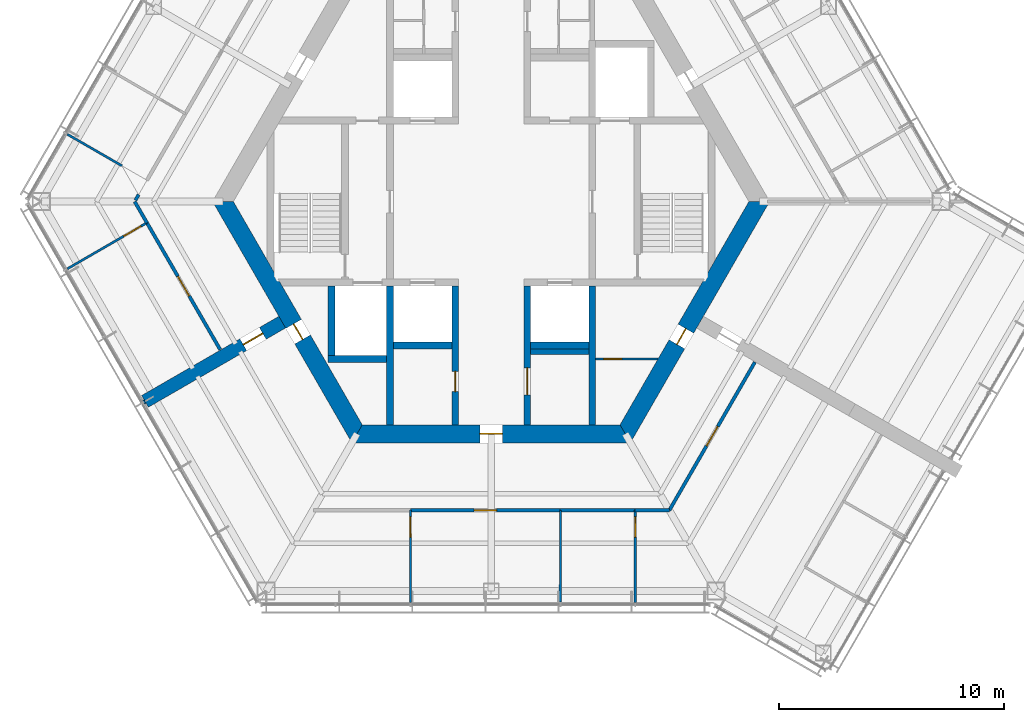
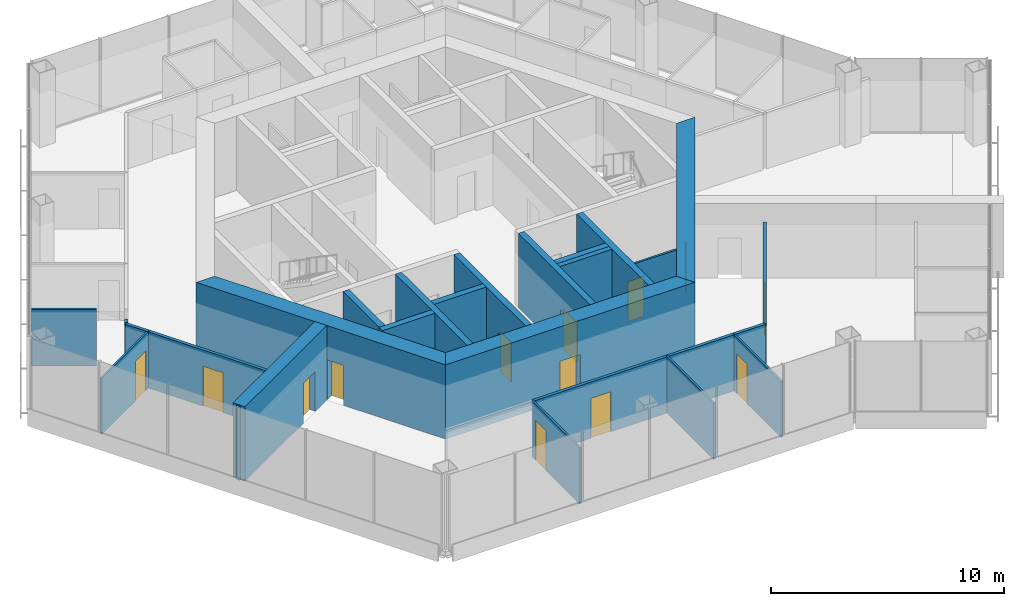
# One storey, part 7 of 13: 27 walls, 13 doors, 13 openings.
"""IFC4 building model written with IfcOpenShell, lengths in metres."""

from ifc_helpers import new_model, si_unit, direction, frame, frame_2d, origin, place, context, subcontext, project, spatial, polyline, rectangle, outline, extrude, material, layer, layer_set, type_object, element, fill, save


model = new_model("IFC4")

# Units and contexts
model_context = context("Model", 3, precision=1e-05, world=origin(), true_north=direction((0.0, 1.0)))
body_context = subcontext(model_context, "Body", "Model", "MODEL_VIEW")
ifc_project = project(units=[si_unit("LENGTHUNIT", "METRE"), si_unit("AREAUNIT", "SQUARE_METRE"), si_unit("VOLUMEUNIT", "CUBIC_METRE"), si_unit("PLANEANGLEUNIT", "RADIAN"), si_unit("MASSUNIT", "GRAM", prefix="KILO")], contexts=[model_context])

# Site, building, storey
site_placement = place(None, origin())
site = spatial("IfcSite", under=ifc_project, at=site_placement, CompositionType="ELEMENT")
building_placement = place(site_placement, origin())
building = spatial("IfcBuilding", under=site, at=building_placement, Name="Kasaneha Research Tower", CompositionType="ELEMENT")
storey_placement = place(building_placement, frame((0.0, 0.0, 271.300048828125)))
storey = spatial("IfcBuildingStorey", under=building, at=storey_placement, Name="L68", CompositionType="ELEMENT", Elevation=271.300048828125)

# Wall, opening, door
ifc_material_1 = material(Name="Concrete Fc60", Category="concrete")
ifc_layer_1 = layer(ifc_material_1, 0.300048828125)
ifc_layer_set_1 = layer_set([ifc_layer_1], Name="Core internal wall 300 Fc60")
wall_type_1 = type_object("IfcWallType", Name="Core internal wall 300 Fc60", PredefinedType="SHEAR", material=ifc_layer_set_1)
wall_1_placement = place(storey_placement, frame((-1.60009765625, -3.75, 0.0), z_axis=(0.0, 0.0, 1.0), x_axis=(0.0, -1.0, 0.0)))
wall_1 = element("IfcWall", 1, at=wall_1_placement, inside=storey, type_object=wall_type_1, Name="Core wall CSW L68", PredefinedType="SHEAR", context=body_context, shape_type="SweptSolid", body=[
    extrude(rectangle(XDim=6.175048828125, YDim=0.300048828125, at=frame_2d((3.08740234375, 0.0))), origin(), (0.0, 0.0, 1.0), 3.89990234375),
])
opening_1_placement = place(wall_1_placement, frame((3.800048828125, 0.0, 0.0)))
opening_1 = element("IfcOpeningElement", 2, at=opening_1_placement, cuts=wall_1, Name="Opening L68-D16", PredefinedType="OPENING", context=body_context, shape_type="SweptSolid", body=[
    extrude(rectangle(XDim=0.89990234375, YDim=2.10009765625, at=frame_2d((0.449951171875, 1.050048828125))), frame((0.0, 0.16015625, 0.0), z_axis=(0.0, -1.0, 0.0), x_axis=(1.0, 0.0, 0.0)), (0.0, 0.0, 1.0), 0.320068359375),
])
ifc_material_2 = material(Name="Steel", Category="steel")
door_type_1 = type_object("IfcDoorType", Name="Riser access door FD60 900x2100", OperationType="NOTDEFINED", PredefinedType="DOOR", material=ifc_material_2)
door_1_placement = place(opening_1_placement, origin())
door_1 = element("IfcDoor", 3, at=door_1_placement, inside=storey, type_object=door_type_1, Name="Electrical riser door L68-D16", OperationType="SINGLE_SWING_LEFT", OverallHeight=2.10009765625, OverallWidth=0.89990234375, PredefinedType="DOOR", context=body_context, shape_type="SweptSolid", body=[
    extrude(rectangle(XDim=0.89990234375, YDim=2.10009765625, at=frame_2d((0.449951171875, 1.050048828125))), frame((0.0, 0.02490234375, 0.0), z_axis=(0.0, -1.0, 0.0), x_axis=(1.0, 0.0, 0.0)), (0.0, 0.0, 1.0), 0.050048828125),
])
fill(opening_1, door_1)

wall_2_placement = place(storey_placement, frame((1.60009765625, -3.75, 0.0), z_axis=(0.0, 0.0, 1.0), x_axis=(0.0, -1.0, 0.0)))
wall_2 = element("IfcWall", 4, at=wall_2_placement, inside=storey, type_object=wall_type_1, Name="Core wall CSE L68", PredefinedType="SHEAR", context=body_context, shape_type="SweptSolid", body=[
    extrude(rectangle(XDim=6.175048828125, YDim=0.300048828125, at=frame_2d((3.08740234375, 0.0))), origin(), (0.0, 0.0, 1.0), 3.89990234375),
])
opening_2_placement = place(wall_2_placement, frame((3.64990234375, 0.0, 0.0)))
opening_2 = element("IfcOpeningElement", 5, at=opening_2_placement, cuts=wall_2, Name="Opening L68-D15", PredefinedType="OPENING", context=body_context, shape_type="SweptSolid", body=[
    extrude(rectangle(XDim=1.199951171875, YDim=2.10009765625, at=frame_2d((0.60009765625, 1.050048828125))), frame((0.0, 0.16015625, 0.0), z_axis=(0.0, -1.0, 0.0), x_axis=(1.0, 0.0, 0.0)), (0.0, 0.0, 1.0), 0.320068359375),
])
ifc_material_3 = material(Name="Steel", Category="steel")
door_type_2 = type_object("IfcDoorType", Name="Accessible toilet sliding door FD20 1200x2100", OperationType="SLIDING_TO_LEFT", PredefinedType="DOOR", material=ifc_material_3)
door_2_placement = place(opening_2_placement, origin())
door_2 = element("IfcDoor", 6, at=door_2_placement, inside=storey, type_object=door_type_2, Name="Accessible WC door L68-D15", OperationType="SLIDING_TO_LEFT", OverallHeight=2.10009765625, OverallWidth=1.199951171875, PredefinedType="DOOR", context=body_context, shape_type="SweptSolid", body=[
    extrude(rectangle(XDim=1.199951171875, YDim=2.10009765625, at=frame_2d((0.60009765625, 1.050048828125))), frame((0.0, 0.02490234375, 0.0), z_axis=(0.0, -1.0, 0.0), x_axis=(1.0, 0.0, 0.0)), (0.0, 0.0, 1.0), 0.050048828125),
])
fill(opening_2, door_2)

# Walls
for number, where, z_axis, x_axis, name in (
    (7, (-4.5, -3.75, 0.0), (0.0, 0.0, 1.0), (0.0, -1.0, 0.0), "Core wall SSW L68"),
    (8, (4.5, -3.75, 0.0), (0.0, 0.0, 1.0), (0.0, -1.0, 0.0), "Core wall SSE L68"),
):
    element("IfcWall", number, at=place(storey_placement, frame(where, z_axis=z_axis, x_axis=x_axis)), inside=storey, type_object=wall_type_1, Name=name, PredefinedType="SHEAR", context=body_context, shape_type="SweptSolid", body=[
        extrude(rectangle(XDim=6.175048828125, YDim=0.300048828125, at=frame_2d((3.08740234375, 0.0))), origin(), (0.0, 0.0, 1.0), 3.89990234375),
    ])
for number, where, z_axis, x_axis, name in (
    (9, (-4.35009765625, -6.39990234375, 0.0), (0.0, 0.0, 1.0), (1.0, 0.0, 0.0), "Core wall S1S L68"),
    (10, (1.75, -6.39990234375, 0.0), (0.0, 0.0, 1.0), (1.0, 0.0, 0.0), "Core wall S3S L68"),
    (11, (-7.25, -7.0, 0.0), (0.0, 0.0, 1.0), (1.0, 0.0, 0.0), "Core wall F2S L68"),
):
    element("IfcWall", number, at=place(storey_placement, frame(where, z_axis=z_axis, x_axis=x_axis)), inside=storey, type_object=wall_type_1, Name=name, PredefinedType="SHEAR", context=body_context, shape_type="SweptSolid", body=[
        extrude(rectangle(XDim=2.60009765625, YDim=0.300048828125, at=frame_2d((1.300048828125, 0.0))), origin(), (0.0, 0.0, 1.0), 3.89990234375),
    ])
wall_3_placement = place(storey_placement, frame((-7.10009765625, -3.75, 0.0), z_axis=(0.0, 0.0, 1.0), x_axis=(0.0, -1.0, 0.0)))
element("IfcWall", 12, at=wall_3_placement, inside=storey, type_object=wall_type_1, Name="Core wall F2W L68", PredefinedType="SHEAR", context=body_context, shape_type="SweptSolid", body=[
    extrude(rectangle(XDim=3.10009765625, YDim=0.300048828125, at=frame_2d((1.550048828125, 0.0))), origin(), (0.0, 0.0, 1.0), 3.89990234375),
])

# Wall, opening, door
ifc_material_4 = material(Name="Concrete Fc60", Category="concrete")
ifc_layer_2 = layer(ifc_material_4, 0.800048828125)
ifc_layer_set_2 = layer_set([ifc_layer_2], Name="Core wall 800 Fc60")
wall_type_2 = type_object("IfcWallType", Name="Core wall 800 Fc60", PredefinedType="SHEAR", material=ifc_layer_set_2)
wall_4_placement = place(storey_placement, frame((-11.92236328125, 0.0, 0.0), z_axis=(0.0, 0.0, 1.0), x_axis=(0.500004296715, -0.866022923061, 0.0)))
wall_4 = element("IfcWall", 13, at=wall_4_placement, inside=storey, type_object=wall_type_2, Name="Core wall 210 L68", PredefinedType="SHEAR", context=body_context, shape_type="SweptSolid", body=[
    extrude(outline(polyline([(-0.23095703125, -0.39990234375), (6.28125, -0.39990234375), (7.081298828125, -0.39990234375), (12.1533203125, -0.39990234375), (11.69140625, 0.39990234375), (7.081298828125, 0.39990234375), (6.28125, 0.39990234375), (0.23095703125, 0.39990234375), (-0.23095703125, -0.39990234375)])), origin(), (0.0, 0.0, 1.0), 3.89990234375),
])
opening_3_placement = place(wall_4_placement, frame((6.28125, 0.0, 0.0)))
opening_3 = element("IfcOpeningElement", 14, at=opening_3_placement, cuts=wall_4, Name="Opening L68-D06", PredefinedType="OPENING", context=body_context, shape_type="SweptSolid", body=[
    extrude(rectangle(XDim=0.800048828125, YDim=2.10009765625, at=frame_2d((0.39990234375, 1.050048828125))), frame((0.0, 0.41015625, 0.0), z_axis=(0.0, -1.0, 0.0), x_axis=(1.0, 0.0, 0.0)), (0.0, 0.0, 1.0), 0.820068359375),
])
ifc_material_5 = material(Name="Steel", Category="steel")
door_type_3 = type_object("IfcDoorType", Name="Riser access door FD60 800x2100", OperationType="NOTDEFINED", PredefinedType="DOOR", material=ifc_material_5)
door_3_placement = place(opening_3_placement, origin())
door_3 = element("IfcDoor", 15, at=door_3_placement, inside=storey, type_object=door_type_3, Name="Duct riser door L68-D06", OperationType="SINGLE_SWING_RIGHT", OverallHeight=2.10009765625, OverallWidth=0.800048828125, PredefinedType="DOOR", context=body_context, shape_type="SweptSolid", body=[
    extrude(rectangle(XDim=0.800048828125, YDim=2.10009765625, at=frame_2d((0.39990234375, 1.050048828125))), frame((0.0, 0.02490234375, 0.0), z_axis=(0.0, -1.0, 0.0), x_axis=(1.0, 0.0, 0.0)), (0.0, 0.0, 1.0), 0.050048828125),
])
fill(opening_3, door_3)

wall_5_placement = place(storey_placement, frame((-5.961181640625, -10.324951171875, 0.0), z_axis=(0.0, 0.0, 1.0), x_axis=(1.0, 0.0, 0.0)))
wall_5 = element("IfcWall", 16, at=wall_5_placement, inside=storey, type_object=wall_type_2, Name="Core wall 270 L68", PredefinedType="SHEAR", context=body_context, shape_type="SweptSolid", body=[
    extrude(outline(polyline([(-0.23095703125, -0.39990234375), (5.461181640625, -0.39990234375), (6.461181640625, -0.39990234375), (12.1533203125, -0.39990234375), (11.69140625, 0.39990234375), (6.461181640625, 0.39990234375), (5.461181640625, 0.39990234375), (0.23095703125, 0.39990234375), (-0.23095703125, -0.39990234375)])), origin(), (0.0, 0.0, 1.0), 3.89990234375),
])
opening_4_placement = place(wall_5_placement, frame((5.461181640625, 0.0, 0.0)))
opening_4 = element("IfcOpeningElement", 17, at=opening_4_placement, cuts=wall_5, Name="Opening L68-D03", PredefinedType="OPENING", context=body_context, shape_type="SweptSolid", body=[
    extrude(rectangle(XDim=1.0, YDim=2.10009765625, at=frame_2d((0.5, 1.050048828125))), frame((0.0, 0.41015625, 0.0), z_axis=(0.0, -1.0, 0.0), x_axis=(1.0, 0.0, 0.0)), (0.0, 0.0, 1.0), 0.820068359375),
])
ifc_material_6 = material(Name="Steel", Category="steel")
door_type_4 = type_object("IfcDoorType", Name="Fire door FD20 1000x2100", OperationType="NOTDEFINED", PredefinedType="DOOR", material=ifc_material_6)
door_4_placement = place(opening_4_placement, origin())
door_4 = element("IfcDoor", 18, at=door_4_placement, inside=storey, type_object=door_type_4, Name="Core door south L68-D03", OperationType="SINGLE_SWING_LEFT", OverallHeight=2.10009765625, OverallWidth=1.0, PredefinedType="DOOR", context=body_context, shape_type="SweptSolid", body=[
    extrude(rectangle(XDim=1.0, YDim=2.10009765625, at=frame_2d((0.5, 1.050048828125))), frame((0.0, 0.02490234375, 0.0), z_axis=(0.0, -1.0, 0.0), x_axis=(1.0, 0.0, 0.0)), (0.0, 0.0, 1.0), 0.050048828125),
])
fill(opening_4, door_4)

wall_6_placement = place(storey_placement, frame((5.961181640625, -10.324951171875, 0.0), z_axis=(0.0, 0.0, 1.0), x_axis=(0.500004296715, 0.866022923061, 0.0)))
wall_6 = element("IfcWall", 19, at=wall_6_placement, inside=storey, type_object=wall_type_2, Name="Core wall 330 L68", PredefinedType="SHEAR", context=body_context, shape_type="SweptSolid", body=[
    extrude(outline(polyline([(-0.23095703125, -0.39990234375), (4.593994140625, -0.39990234375), (5.39404296875, -0.39990234375), (12.1533203125, -0.39990234375), (11.69140625, 0.39990234375), (5.39404296875, 0.39990234375), (4.593994140625, 0.39990234375), (0.23095703125, 0.39990234375), (-0.23095703125, -0.39990234375)])), origin(), (0.0, 0.0, 1.0), 3.89990234375),
])
opening_5_placement = place(wall_6_placement, frame((4.593994140625, 0.0, 0.0)))
opening_5 = element("IfcOpeningElement", 20, at=opening_5_placement, cuts=wall_6, Name="Opening L68-D05", PredefinedType="OPENING", context=body_context, shape_type="SweptSolid", body=[
    extrude(rectangle(XDim=0.800048828125, YDim=2.10009765625, at=frame_2d((0.39990234375, 1.050048828125))), frame((0.0, 0.41015625, 0.0), z_axis=(0.0, -1.0, 0.0), x_axis=(1.0, 0.0, 0.0)), (0.0, 0.0, 1.0), 0.820068359375),
])
door_5_placement = place(opening_5_placement, origin())
door_5 = element("IfcDoor", 21, at=door_5_placement, inside=storey, type_object=door_type_3, Name="Pipe riser door L68-D05", OperationType="SINGLE_SWING_LEFT", OverallHeight=2.10009765625, OverallWidth=0.800048828125, PredefinedType="DOOR", context=body_context, shape_type="SweptSolid", body=[
    extrude(rectangle(XDim=0.800048828125, YDim=2.10009765625, at=frame_2d((0.39990234375, 1.050048828125))), frame((0.0, 0.02490234375, 0.0), z_axis=(0.0, -1.0, 0.0), x_axis=(1.0, 0.0, 0.0)), (0.0, 0.0, 1.0), 0.050048828125),
])
fill(opening_5, door_5)

ifc_material_7 = material(Name="Gypsum board on steel studs, one layer each side", Category="steel")
ifc_layer_3 = layer(ifc_material_7, 0.10009765625)
ifc_layer_set_3 = layer_set([ifc_layer_3], Name="Office partition 100")
wall_type_3 = type_object("IfcWallType", Name="Office partition 100", PredefinedType="PARTITIONING", material=ifc_layer_set_3)
wall_7_placement = place(storey_placement, frame((4.64990234375, -7.0, 0.0), z_axis=(0.0, 0.0, 1.0), x_axis=(1.0, 0.0, 0.0)))
wall_7 = element("IfcWall", 22, at=wall_7_placement, inside=storey, type_object=wall_type_3, Name="Office partition RS-SE L68", PredefinedType="PARTITIONING", context=body_context, shape_type="SweptSolid", body=[
    extrude(outline(polyline([(0.0, -0.050048828125), (0.35009765625, -0.050048828125), (1.150146484375, -0.050048828125), (2.740234375, -0.050048828125), (2.76904296875, 0.0), (2.77490234375, 0.050048828125), (1.150146484375, 0.050048828125), (0.35009765625, 0.050048828125), (0.0, 0.050048828125), (0.0, -0.050048828125)])), origin(), (0.0, 0.0, 1.0), 2.949951171875),
])
opening_6_placement = place(wall_7_placement, frame((0.35009765625, 0.0, 0.0)))
opening_6 = element("IfcOpeningElement", 23, at=opening_6_placement, cuts=wall_7, Name="Opening L68-D25", PredefinedType="OPENING", context=body_context, shape_type="SweptSolid", body=[
    extrude(rectangle(XDim=0.800048828125, YDim=2.10009765625, at=frame_2d((0.39990234375, 1.050048828125))), frame((0.0, 0.06005859375, 0.0), z_axis=(0.0, -1.0, 0.0), x_axis=(1.0, 0.0, 0.0)), (0.0, 0.0, 1.0), 0.1201171875),
])
door_6_placement = place(opening_6_placement, origin())
door_6 = element("IfcDoor", 24, at=door_6_placement, inside=storey, type_object=door_type_3, Name="Drainage riser door L68-D25", OperationType="SINGLE_SWING_LEFT", OverallHeight=2.10009765625, OverallWidth=0.800048828125, PredefinedType="DOOR", context=body_context, shape_type="SweptSolid", body=[
    extrude(rectangle(XDim=0.800048828125, YDim=2.10009765625, at=frame_2d((0.39990234375, 1.050048828125))), frame((0.0, 0.02490234375, 0.0), z_axis=(0.0, -1.0, 0.0), x_axis=(1.0, 0.0, 0.0)), (0.0, 0.0, 1.0), 0.050048828125),
])
fill(opening_6, door_6)

# Wall
wall_8_placement = place(storey_placement, frame((-16.4130859375, 1.58837890625, 0.0), z_axis=(0.0, 0.0, 1.0), x_axis=(-0.866020185298, 0.500009038574, 0.0)))
element("IfcWall", 25, at=wall_8_placement, inside=storey, type_object=wall_type_3, Name="Office partition FBN07 L68", PredefinedType="PARTITIONING", context=body_context, shape_type="SweptSolid", body=[
    extrude(rectangle(XDim=2.80224609375, YDim=0.10009765625, at=frame_2d((1.401123046875, 0.0))), origin(), (0.0, 0.0, 1.0), 2.949951171875),
])

# Wall, opening, door
wall_9_placement = place(storey_placement, frame((-15.303955078125, -0.94287109375, 0.0), z_axis=(0.0, 0.0, 1.0), x_axis=(-0.865475377125, -0.500951466301, 0.0)))
wall_9 = element("IfcWall", 26, at=wall_9_placement, inside=storey, type_object=wall_type_3, Name="Office partition FBN10 L68", PredefinedType="PARTITIONING", context=body_context, shape_type="SweptSolid", body=[
    extrude(rectangle(XDim=4.08544921875, YDim=0.10009765625, at=frame_2d((2.042724609375, 0.0))), origin(), (0.0, 0.0, 1.0), 2.949951171875),
])
opening_7_placement = place(wall_9_placement, frame((0.300048828125, 0.0, 0.0)))
opening_7 = element("IfcOpeningElement", 27, at=opening_7_placement, cuts=wall_9, Name="Opening L68-D38", PredefinedType="OPENING", context=body_context, shape_type="SweptSolid", body=[
    extrude(rectangle(XDim=0.89990234375, YDim=2.10009765625, at=frame_2d((0.449951171875, 1.050048828125))), frame((0.0, 0.06005859375, 0.0), z_axis=(0.0, -1.0, 0.0), x_axis=(1.0, 0.0, 0.0)), (0.0, 0.0, 1.0), 0.1201171875),
])
ifc_material_8 = material(Name="Timber veneer", Category="wood")
door_type_5 = type_object("IfcDoorType", Name="Office door 900x2100", OperationType="SINGLE_SWING_LEFT", PredefinedType="DOOR", material=ifc_material_8)
door_7_placement = place(opening_7_placement, origin())
door_7 = element("IfcDoor", 28, at=door_7_placement, inside=storey, type_object=door_type_5, Name="Workroom door L68-D38", OperationType="SINGLE_SWING_LEFT", OverallHeight=2.10009765625, OverallWidth=0.89990234375, PredefinedType="DOOR", context=body_context, shape_type="SweptSolid", body=[
    extrude(rectangle(XDim=0.89990234375, YDim=2.10009765625, at=frame_2d((0.449951171875, 1.050048828125))), frame((0.0, 0.02490234375, 0.0), z_axis=(0.0, -1.0, 0.0), x_axis=(1.0, 0.0, 0.0)), (0.0, 0.0, 1.0), 0.050048828125),
])
fill(opening_7, door_7)

wall_10_placement = place(storey_placement, frame((-3.589111328125, -13.72509765625, 0.0), z_axis=(0.0, 0.0, 1.0), x_axis=(0.001128533375, -0.999999363206, 0.0)))
wall_10 = element("IfcWall", 29, at=wall_10_placement, inside=storey, type_object=wall_type_3, Name="Office partition FCS06 L68", PredefinedType="PARTITIONING", context=body_context, shape_type="SweptSolid", body=[
    extrude(rectangle(XDim=4.1103515625, YDim=0.10009765625, at=frame_2d((2.05517578125, 0.0))), origin(), (0.0, 0.0, 1.0), 2.949951171875),
])
opening_8_placement = place(wall_10_placement, frame((0.300048828125, 0.0, 0.0)))
opening_8 = element("IfcOpeningElement", 30, at=opening_8_placement, cuts=wall_10, Name="Opening L68-D41", PredefinedType="OPENING", context=body_context, shape_type="SweptSolid", body=[
    extrude(rectangle(XDim=0.89990234375, YDim=2.10009765625, at=frame_2d((0.449951171875, 1.050048828125))), frame((0.0, 0.06005859375, 0.0), z_axis=(0.0, -1.0, 0.0), x_axis=(1.0, 0.0, 0.0)), (0.0, 0.0, 1.0), 0.1201171875),
])
door_8_placement = place(opening_8_placement, origin())
door_8 = element("IfcDoor", 31, at=door_8_placement, inside=storey, type_object=door_type_5, Name="Reading room door L68-D41", OperationType="SINGLE_SWING_LEFT", OverallHeight=2.10009765625, OverallWidth=0.89990234375, PredefinedType="DOOR", context=body_context, shape_type="SweptSolid", body=[
    extrude(rectangle(XDim=0.89990234375, YDim=2.10009765625, at=frame_2d((0.449951171875, 1.050048828125))), frame((0.0, 0.02490234375, 0.0), z_axis=(0.0, -1.0, 0.0), x_axis=(1.0, 0.0, 0.0)), (0.0, 0.0, 1.0), 0.050048828125),
])
fill(opening_8, door_8)

wall_11_placement = place(storey_placement, frame((6.40380859375, -13.72509765625, 0.0), z_axis=(0.0, 0.0, 1.0), x_axis=(0.001128533375, -0.999999363206, 0.0)))
wall_11 = element("IfcWall", 32, at=wall_11_placement, inside=storey, type_object=wall_type_3, Name="Office partition FCS07 L68", PredefinedType="PARTITIONING", context=body_context, shape_type="SweptSolid", body=[
    extrude(rectangle(XDim=4.1103515625, YDim=0.10009765625, at=frame_2d((2.05517578125, 0.0))), origin(), (0.0, 0.0, 1.0), 2.949951171875),
])
opening_9_placement = place(wall_11_placement, frame((0.300048828125, 0.0, 0.0)))
opening_9 = element("IfcOpeningElement", 33, at=opening_9_placement, cuts=wall_11, Name="Opening L68-D42", PredefinedType="OPENING", context=body_context, shape_type="SweptSolid", body=[
    extrude(rectangle(XDim=0.89990234375, YDim=2.10009765625, at=frame_2d((0.449951171875, 1.050048828125))), frame((0.0, 0.06005859375, 0.0), z_axis=(0.0, -1.0, 0.0), x_axis=(1.0, 0.0, 0.0)), (0.0, 0.0, 1.0), 0.1201171875),
])
door_9_placement = place(opening_9_placement, origin())
door_9 = element("IfcDoor", 34, at=door_9_placement, inside=storey, type_object=door_type_5, Name="Workroom door L68-D42", OperationType="SINGLE_SWING_LEFT", OverallHeight=2.10009765625, OverallWidth=0.89990234375, PredefinedType="DOOR", context=body_context, shape_type="SweptSolid", body=[
    extrude(rectangle(XDim=0.89990234375, YDim=2.10009765625, at=frame_2d((0.449951171875, 1.050048828125))), frame((0.0, 0.02490234375, 0.0), z_axis=(0.0, -1.0, 0.0), x_axis=(1.0, 0.0, 0.0)), (0.0, 0.0, 1.0), 0.050048828125),
])
fill(opening_9, door_9)

# Wall
wall_12_placement = place(storey_placement, frame((3.077392578125, -17.800537109375, 0.0), z_axis=(0.0, 0.0, 1.0), x_axis=(0.001078295665, 0.999999418639, 0.0)))
element("IfcWall", 35, at=wall_12_placement, inside=storey, type_object=wall_type_3, Name="Office partition FCS08 L68", PredefinedType="PARTITIONING", context=body_context, shape_type="SweptSolid", body=[
    extrude(rectangle(XDim=4.075439453125, YDim=0.10009765625, at=frame_2d((2.03759765625, 0.0))), origin(), (0.0, 0.0, 1.0), 2.949951171875),
])

# Wall, opening, door
ifc_material_9 = material(Name="Concrete Fc60", Category="concrete")
ifc_layer_4 = layer(ifc_material_9, 0.60009765625)
ifc_layer_set_4 = layer_set([ifc_layer_4], Name="Spine wall 600 Fc60")
wall_type_4 = type_object("IfcWallType", Name="Spine wall 600 Fc60", PredefinedType="SHEAR", material=ifc_layer_set_4)
wall_13_placement = place(storey_placement, frame((-9.2880859375, -5.362548828125, 0.0), z_axis=(0.0, 0.0, 1.0), x_axis=(-0.866027473358, -0.499996415376, 0.0)))
wall_13 = element("IfcWall", 36, at=wall_13_placement, inside=storey, type_object=wall_type_4, Name="Spine wall B L68", PredefinedType="SHEAR", context=body_context, shape_type="SweptSolid", body=[
    extrude(rectangle(XDim=7.04541015625, YDim=0.60009765625, at=frame_2d((3.522705078125, 0.0))), origin(), (0.0, 0.0, 1.0), 3.89990234375),
])
opening_10_placement = place(wall_13_placement, frame((1.0, 0.0, 0.0)))
opening_10 = element("IfcOpeningElement", 37, at=opening_10_placement, cuts=wall_13, Name="Opening L68-D19", PredefinedType="OPENING", context=body_context, shape_type="SweptSolid", body=[
    extrude(rectangle(XDim=1.0, YDim=2.10009765625, at=frame_2d((0.5, 1.050048828125))), frame((0.0, 0.31005859375, 0.0), z_axis=(0.0, -1.0, 0.0), x_axis=(1.0, 0.0, 0.0)), (0.0, 0.0, 1.0), 0.6201171875),
])
ifc_material_10 = material(Name="Steel", Category="steel")
door_type_6 = type_object("IfcDoorType", Name="Specified fire door FD60 1000x2100", OperationType="NOTDEFINED", PredefinedType="DOOR", material=ifc_material_10)
door_10_placement = place(opening_10_placement, origin())
door_10 = element("IfcDoor", 38, at=door_10_placement, inside=storey, type_object=door_type_6, Name="Spine doorway B L68-D19", OperationType="SINGLE_SWING_LEFT", OverallHeight=2.10009765625, OverallWidth=1.0, PredefinedType="DOOR", context=body_context, shape_type="SweptSolid", body=[
    extrude(rectangle(XDim=1.0, YDim=2.10009765625, at=frame_2d((0.5, 1.050048828125))), frame((0.0, 0.02490234375, 0.0), z_axis=(0.0, -1.0, 0.0), x_axis=(1.0, 0.0, 0.0)), (0.0, 0.0, 1.0), 0.050048828125),
])
fill(opening_10, door_10)

# Walls
ifc_material_11 = material(Name="Gypsum board on steel studs, two layers each side", Category="steel")
ifc_layer_5 = layer(ifc_material_11, 0.14990234375)
ifc_layer_set_5 = layer_set([ifc_layer_5], Name="Suite partition 150")
wall_type_5 = type_object("IfcWallType", Name="Suite partition 150", PredefinedType="PARTITIONING", material=ifc_layer_set_5)
wall_14_placement = place(storey_placement, frame((-15.81591796875, 0.056396484375, 0.0), z_axis=(0.0, 0.0, 1.0), x_axis=(0.500801637523, 0.865562083189, 0.0)))
element("IfcWall", 39, at=wall_14_placement, inside=storey, type_object=wall_type_5, Name="Suite partition FBN03 L68", PredefinedType="PARTITIONING", context=body_context, shape_type="SweptSolid", body=[
    extrude(rectangle(XDim=0.287109375, YDim=0.14990234375, at=frame_2d((0.1435546875, 0.0))), origin(), (0.0, 0.0, 1.0), 2.949951171875),
])
wall_15_placement = place(storey_placement, frame((-15.29931640625, -0.951171875, 0.0), z_axis=(0.0, 0.0, 1.0), x_axis=(-0.499940538003, 0.866059731463, 0.0)))
element("IfcWall", 40, at=wall_15_placement, inside=storey, type_object=wall_type_5, Name="Suite partition FBN04 L68", PredefinedType="PARTITIONING", context=body_context, shape_type="SweptSolid", body=[
    extrude(rectangle(XDim=1.098388671875, YDim=0.14990234375, at=frame_2d((0.54931640625, 0.0))), origin(), (0.0, 0.0, 1.0), 2.949951171875),
])

# Wall, opening, door
wall_16_placement = place(storey_placement, frame((-12.046142578125, -6.58544921875, 0.0), z_axis=(0.0, 0.0, 1.0), x_axis=(-0.500007885066, 0.866020851292, 0.0)))
wall_16 = element("IfcWall", 41, at=wall_16_placement, inside=storey, type_object=wall_type_5, Name="Suite partition FBN06 L68", PredefinedType="PARTITIONING", context=body_context, shape_type="SweptSolid", body=[
    extrude(rectangle(XDim=6.515625, YDim=0.14990234375, at=frame_2d((3.2578125, 0.0))), origin(), (0.0, 0.0, 1.0), 2.949951171875),
])
opening_11_placement = place(wall_16_placement, frame((2.7578125, 0.0, 0.0)))
opening_11 = element("IfcOpeningElement", 42, at=opening_11_placement, cuts=wall_16, Name="Opening L68-D35", PredefinedType="OPENING", context=body_context, shape_type="SweptSolid", body=[
    extrude(rectangle(XDim=1.0, YDim=2.10009765625, at=frame_2d((0.5, 1.050048828125))), frame((0.0, 0.0849609375, 0.0), z_axis=(0.0, -1.0, 0.0), x_axis=(1.0, 0.0, 0.0)), (0.0, 0.0, 1.0), 0.169921875),
])
ifc_material_12 = material(Name="Steel", Category="steel")
door_type_7 = type_object("IfcDoorType", Name="Suite entrance door FD60 1000x2100", OperationType="NOTDEFINED", PredefinedType="DOOR", material=ifc_material_12)
door_11_placement = place(opening_11_placement, origin())
door_11 = element("IfcDoor", 43, at=door_11_placement, inside=storey, type_object=door_type_7, Name="Suite entrance door L68-D35", OperationType="SINGLE_SWING_RIGHT", OverallHeight=2.10009765625, OverallWidth=1.0, PredefinedType="DOOR", context=body_context, shape_type="SweptSolid", body=[
    extrude(rectangle(XDim=1.0, YDim=2.10009765625, at=frame_2d((0.5, 1.050048828125))), frame((0.0, 0.02490234375, 0.0), z_axis=(0.0, -1.0, 0.0), x_axis=(1.0, 0.0, 0.0)), (0.0, 0.0, 1.0), 0.050048828125),
])
fill(opening_11, door_11)

# Walls
wall_17_placement = place(storey_placement, frame((6.413330078125, -13.72509765625, 0.0), z_axis=(0.0, 0.0, 1.0), x_axis=(-1.0, 0.0, 0.0)))
element("IfcWall", 44, at=wall_17_placement, inside=storey, type_object=wall_type_5, Name="Suite partition FCS02 L68", PredefinedType="PARTITIONING", context=body_context, shape_type="SweptSolid", body=[
    extrude(rectangle(XDim=3.3408203125, YDim=0.14990234375, at=frame_2d((1.67041015625, 0.0))), origin(), (0.0, 0.0, 1.0), 2.949951171875),
])
wall_18_placement = place(storey_placement, frame((7.924072265625, -13.72509765625, 0.0), z_axis=(0.0, 0.0, 1.0), x_axis=(-1.0, 0.0, 0.0)))
element("IfcWall", 45, at=wall_18_placement, inside=storey, type_object=wall_type_5, Name="Suite partition FCS03 L68", PredefinedType="PARTITIONING", context=body_context, shape_type="SweptSolid", body=[
    extrude(rectangle(XDim=1.520263671875, YDim=0.14990234375, at=frame_2d((0.76025390625, 0.0))), origin(), (0.0, 0.0, 1.0), 2.949951171875),
])

# Wall, opening, door
wall_19_placement = place(storey_placement, frame((11.726318359375, -7.1396484375, 0.0), z_axis=(0.0, 0.0, 1.0), x_axis=(-0.500013335957, -0.866017704129, 0.0)))
wall_19 = element("IfcWall", 46, at=wall_19_placement, inside=storey, type_object=wall_type_5, Name="Suite partition FCS04 L68", PredefinedType="PARTITIONING", context=body_context, shape_type="SweptSolid", body=[
    extrude(rectangle(XDim=7.604248046875, YDim=0.14990234375, at=frame_2d((3.80224609375, 0.0))), origin(), (0.0, 0.0, 1.0), 2.949951171875),
])
opening_12_placement = place(wall_19_placement, frame((3.302001953125, 0.0, 0.0)))
opening_12 = element("IfcOpeningElement", 47, at=opening_12_placement, cuts=wall_19, Name="Opening L68-D39", PredefinedType="OPENING", context=body_context, shape_type="SweptSolid", body=[
    extrude(rectangle(XDim=1.0, YDim=2.10009765625, at=frame_2d((0.5, 1.050048828125))), frame((0.0, 0.0849609375, 0.0), z_axis=(0.0, -1.0, 0.0), x_axis=(1.0, 0.0, 0.0)), (0.0, 0.0, 1.0), 0.169921875),
])
door_12_placement = place(opening_12_placement, origin())
door_12 = element("IfcDoor", 48, at=door_12_placement, inside=storey, type_object=door_type_7, Name="Suite entrance door L68-D39", OperationType="SINGLE_SWING_LEFT", OverallHeight=2.10009765625, OverallWidth=1.0, PredefinedType="DOOR", context=body_context, shape_type="SweptSolid", body=[
    extrude(rectangle(XDim=1.0, YDim=2.10009765625, at=frame_2d((0.5, 1.050048828125))), frame((0.0, 0.02490234375, 0.0), z_axis=(0.0, -1.0, 0.0), x_axis=(1.0, 0.0, 0.0)), (0.0, 0.0, 1.0), 0.050048828125),
])
fill(opening_12, door_12)

wall_20_placement = place(storey_placement, frame((3.081787109375, -13.72509765625, 0.0), z_axis=(0.0, 0.0, 1.0), x_axis=(-1.0, 0.0, 0.0)))
wall_20 = element("IfcWall", 49, at=wall_20_placement, inside=storey, type_object=wall_type_5, Name="Suite partition FCS05 L68", PredefinedType="PARTITIONING", context=body_context, shape_type="SweptSolid", body=[
    extrude(rectangle(XDim=6.6708984375, YDim=0.14990234375, at=frame_2d((3.33544921875, 0.0))), origin(), (0.0, 0.0, 1.0), 2.949951171875),
])
opening_13_placement = place(wall_20_placement, frame((2.83544921875, 0.0, 0.0)))
opening_13 = element("IfcOpeningElement", 50, at=opening_13_placement, cuts=wall_20, Name="Opening L68-D40", PredefinedType="OPENING", context=body_context, shape_type="SweptSolid", body=[
    extrude(rectangle(XDim=1.0, YDim=2.10009765625, at=frame_2d((0.5, 1.050048828125))), frame((0.0, 0.0849609375, 0.0), z_axis=(0.0, -1.0, 0.0), x_axis=(1.0, 0.0, 0.0)), (0.0, 0.0, 1.0), 0.169921875),
])
door_13_placement = place(opening_13_placement, origin())
door_13 = element("IfcDoor", 51, at=door_13_placement, inside=storey, type_object=door_type_7, Name="Suite entrance door L68-D40", OperationType="SINGLE_SWING_LEFT", OverallHeight=2.10009765625, OverallWidth=1.0, PredefinedType="DOOR", context=body_context, shape_type="SweptSolid", body=[
    extrude(rectangle(XDim=1.0, YDim=2.10009765625, at=frame_2d((0.5, 1.050048828125))), frame((0.0, 0.02490234375, 0.0), z_axis=(0.0, -1.0, 0.0), x_axis=(1.0, 0.0, 0.0)), (0.0, 0.0, 1.0), 0.050048828125),
])
fill(opening_13, door_13)

# Walls
ifc_material_13 = material(Name="Gypsum board on steel studs, two layers each side", Category="steel")
ifc_layer_6 = layer(ifc_material_13, 0.175048828125)
ifc_layer_set_6 = layer_set([ifc_layer_6], Name="Tenancy fire partition 175")
wall_type_6 = type_object("IfcWallType", Name="Tenancy fire partition 175", PredefinedType="PARTITIONING", material=ifc_layer_set_6)
wall_21_placement = place(storey_placement, frame((-15.3896484375, -8.88525390625, 0.0), z_axis=(0.0, 0.0, 1.0), x_axis=(-0.866622456874, -0.498964444867, 0.0)))
element("IfcWall", 52, at=wall_21_placement, inside=storey, type_object=wall_type_6, Name="Spine wall closer SW4-600 L68", PredefinedType="PARTITIONING", context=body_context, shape_type="SweptSolid", body=[
    extrude(rectangle(XDim=0.065185546875, YDim=0.175048828125, at=frame_2d((0.03271484375, 0.0))), origin(), (0.0, 0.0, 1.0), 3.89990234375),
])
ifc_material_14 = material(Name="Concrete block lining", Category="concrete")
ifc_layer_7 = layer(ifc_material_14, 0.25)
ifc_layer_set_7 = layer_set([ifc_layer_7], Name="WC plumbing wall 250")
wall_type_7 = type_object("IfcWallType", Name="WC plumbing wall 250", PredefinedType="PLUMBINGWALL", material=ifc_layer_set_7)
wall_22_placement = place(storey_placement, frame((1.75, -6.675048828125, 0.0), z_axis=(0.0, 0.0, 1.0), x_axis=(1.0, 0.0, 0.0)))
element("IfcWall", 53, at=wall_22_placement, inside=storey, type_object=wall_type_7, Name="WC plumbing wall A L68", PredefinedType="PLUMBINGWALL", context=body_context, shape_type="SweptSolid", body=[
    extrude(rectangle(XDim=2.60009765625, YDim=0.25, at=frame_2d((1.300048828125, 0.0))), origin(), (0.0, 0.0, 1.0), 3.89990234375),
])

save(model, "model.ifc")
